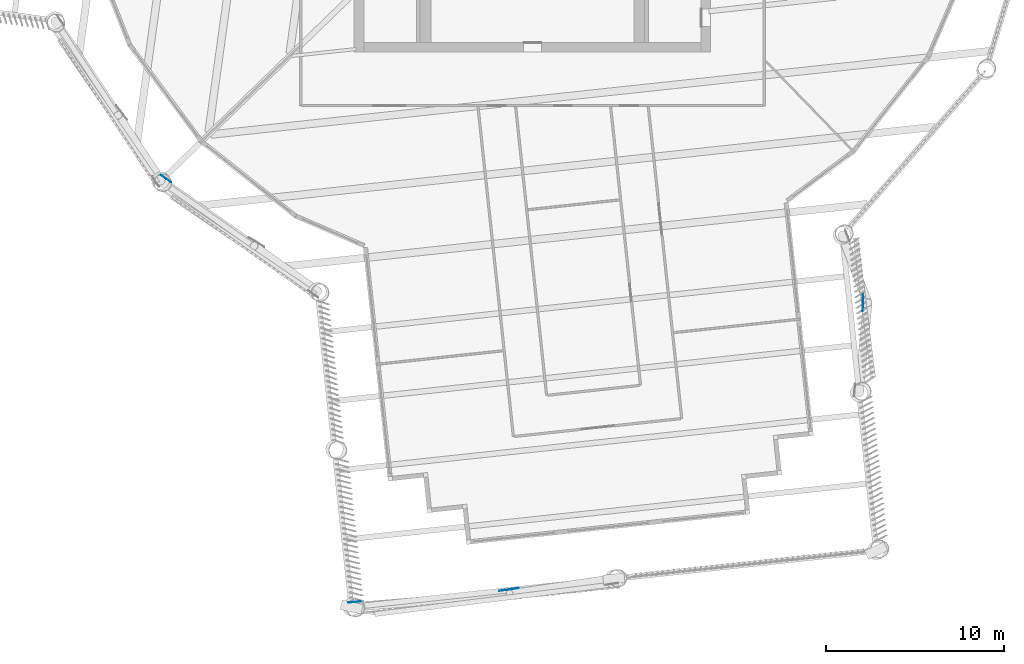
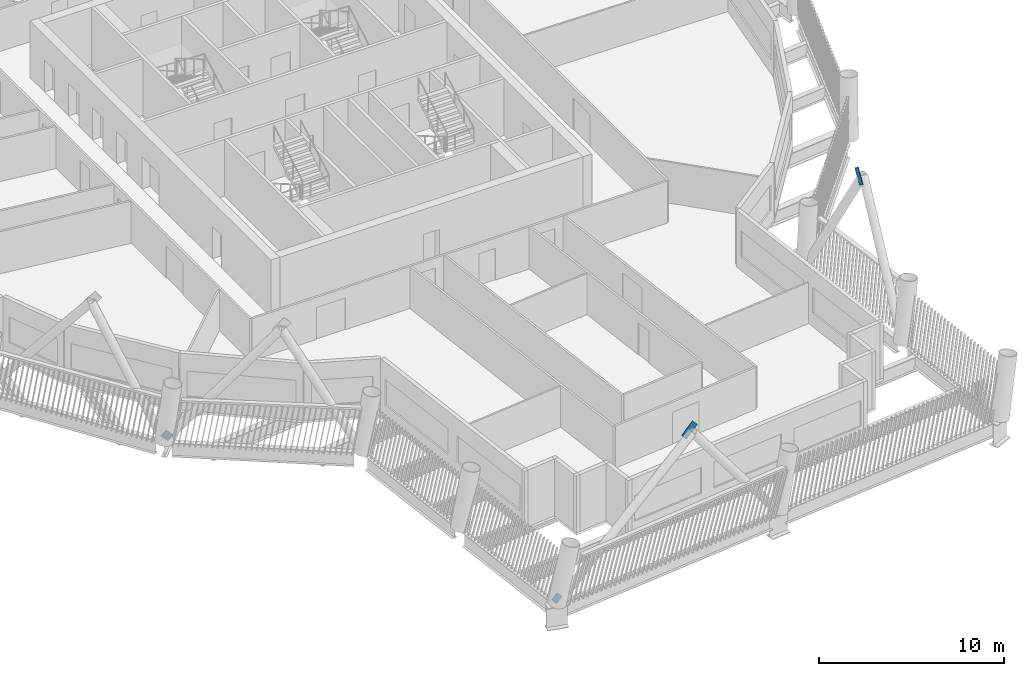
# One storey, part 8 of 21: 4 discrete accessories.
"""IFC4 building model written with IfcOpenShell, lengths in metres."""

from ifc_helpers import new_model, si_unit, direction, frame, origin, origin_2d, place, context, subcontext, project, spatial, rectangle, extrude, material, material_profile, profile_set, type_object, element, save


model = new_model("IFC4")

# Units and contexts
model_context = context("Model", 3, precision=1e-05, world=origin(), true_north=direction((0.0, 1.0)))
body_context = subcontext(model_context, "Body", "Model", "MODEL_VIEW")
ifc_project = project(units=[si_unit("LENGTHUNIT", "METRE"), si_unit("AREAUNIT", "SQUARE_METRE"), si_unit("VOLUMEUNIT", "CUBIC_METRE"), si_unit("PLANEANGLEUNIT", "RADIAN"), si_unit("MASSUNIT", "GRAM", prefix="KILO")], contexts=[model_context])

# Site, building, storey
site_placement = place(None, origin())
site = spatial("IfcSite", under=ifc_project, at=site_placement, CompositionType="ELEMENT")
building_placement = place(site_placement, origin())
building = spatial("IfcBuilding", under=site, at=building_placement, Name="Tarsis Ring Headquarters", CompositionType="ELEMENT")
storey_placement = place(building_placement, frame((0.0, 0.0, 255.199951171875)))
storey = spatial("IfcBuildingStorey", under=building, at=storey_placement, Name="L59", CompositionType="ELEMENT", Elevation=255.199951171875)

# Discrete accessories
ifc_material = material(Name="Structural steel S355", Category="steel")
ifc_material_profile = material_profile(ifc_material, rectangle(XDim=0.02490234375, YDim=0.5, at=origin_2d()), Name="PL 25x500")
ifc_profile_set = profile_set([ifc_material_profile], Name="Structural steel S355")
discrete_accessory_type = type_object("IfcDiscreteAccessoryType", Name="Gusset plate Exo brace 25", PredefinedType="BRACKET", material=ifc_profile_set)
for number, where, z_axis, x_axis, name in (
    (1, (-20.700439453125, -20.00439453125, 0.0), (0.51859790266, -0.363311525027, 0.773990278452), (0.573772853525, 0.819014476403, 0.0), "Gusset plate GP5"),
    (2, (-10.174072265625, -43.8681640625, 0.0), (0.749529857207, 0.060548340256, 0.659195639889), (-0.080519463544, 0.99675303661, 0.0), "Gusset plate GP5"),
):
    element("IfcDiscreteAccessory", number, at=place(storey_placement, frame(where, z_axis=z_axis, x_axis=x_axis)), inside=storey, type_object=discrete_accessory_type, Name=name, PredefinedType="BRACKET", context=body_context, shape_type="SweptSolid", body=[
        extrude(rectangle(XDim=0.02490234375, YDim=0.5, at=origin_2d()), origin(), (0.0, 0.0, 1.0), 0.5),
    ])
discrete_accessory_1_placement = place(storey_placement, frame((-1.69091796875, -43.20654296875, 7.470458984375), z_axis=(0.744135657375, 0.10839771387, 0.659175287045), x_axis=(-0.144147942858, 0.989556148265, 0.0)))
element("IfcDiscreteAccessory", 3, at=discrete_accessory_1_placement, inside=storey, type_object=discrete_accessory_type, Name="Gusset plate GP5", PredefinedType="BRACKET", context=body_context, shape_type="SweptSolid", body=[
    extrude(rectangle(XDim=0.02490234375, YDim=0.5, at=origin_2d()), origin(), (0.0, 0.0, 1.0), 1.0),
])
discrete_accessory_2_placement = place(storey_placement, frame((18.536376953125, -27.324951171875, 7.380615234375), z_axis=(0.016116756717, 0.543818442544, 0.839048122399), x_axis=(-0.999561134468, 0.029623275651, 0.0)))
element("IfcDiscreteAccessory", 4, at=discrete_accessory_2_placement, inside=storey, type_object=discrete_accessory_type, Name="Gusset plate GP5", PredefinedType="BRACKET", context=body_context, shape_type="SweptSolid", body=[
    extrude(rectangle(XDim=0.02490234375, YDim=0.5, at=origin_2d()), origin(), (0.0, 0.0, 1.0), 0.999755859375),
])

save(model, "model.ifc")
